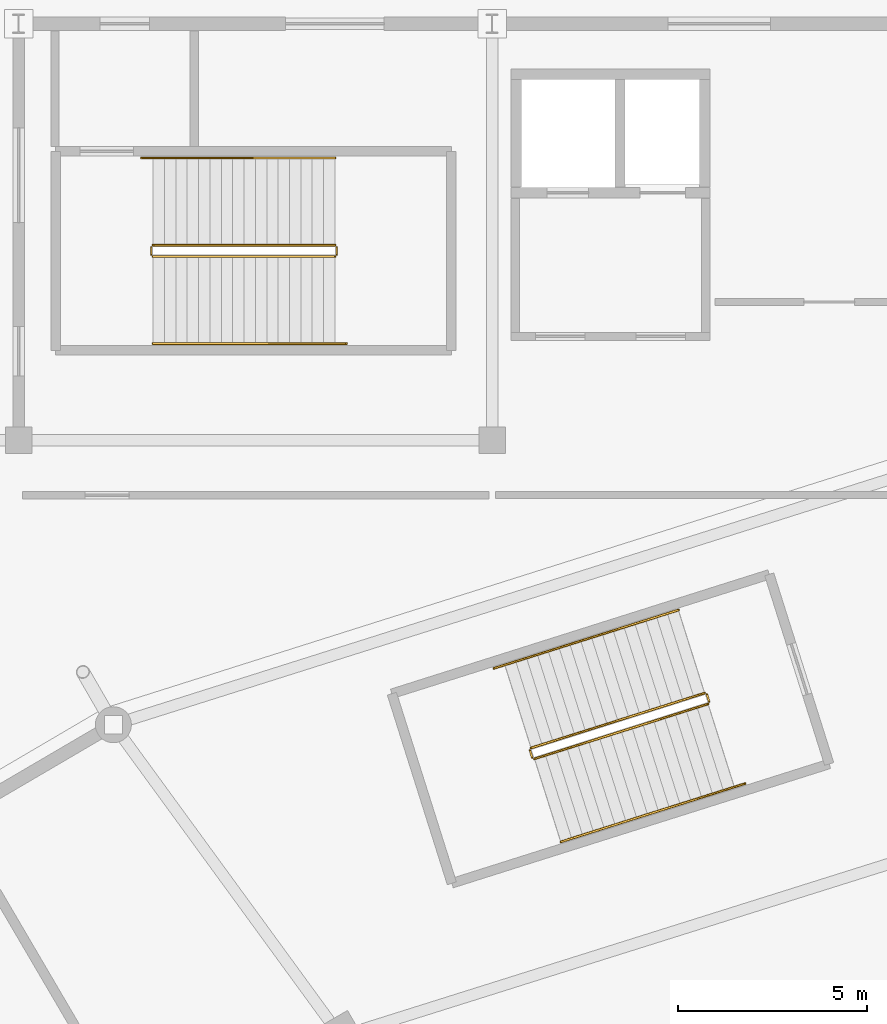
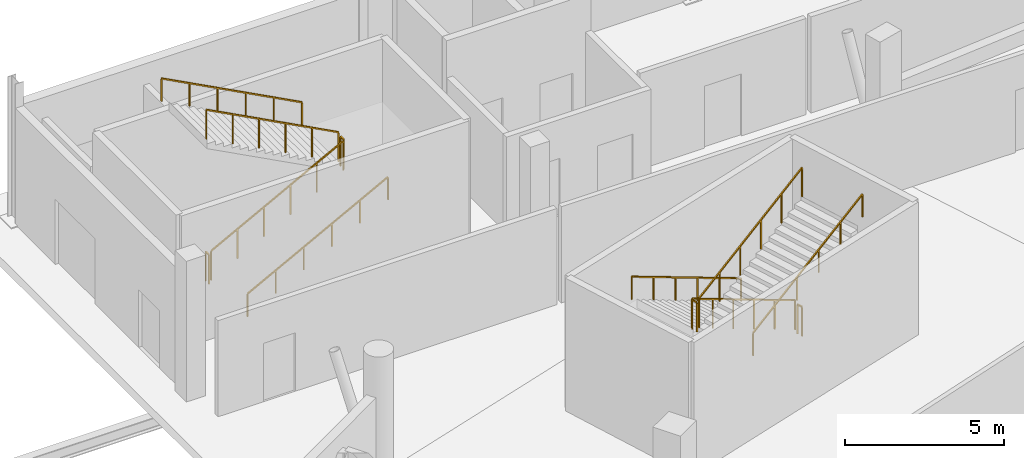
# One storey, part 79 of 82: 12 railings.
"""IFC4 building model written with IfcOpenShell, lengths in metres."""

from ifc_helpers import new_model, si_unit, direction, frame, origin, origin_2d, place, context, subcontext, project, spatial, rectangle, extrude, material, type_object, element, save


model = new_model("IFC4")

# Units and contexts
model_context = context("Model", 3, precision=1e-05, world=origin(), true_north=direction((0.0, 1.0)))
body_context = subcontext(model_context, "Body", "Model", "MODEL_VIEW")
ifc_project = project(units=[si_unit("LENGTHUNIT", "METRE"), si_unit("AREAUNIT", "SQUARE_METRE"), si_unit("VOLUMEUNIT", "CUBIC_METRE"), si_unit("PLANEANGLEUNIT", "RADIAN"), si_unit("MASSUNIT", "GRAM", prefix="KILO")], contexts=[model_context])

# Site, building, storey
site_placement = place(None, origin())
site = spatial("IfcSite", under=ifc_project, at=site_placement, CompositionType="ELEMENT")
building_placement = place(site_placement, origin())
building = spatial("IfcBuilding", under=site, at=building_placement, Name="Zlatoyarsky Gate Stadium", CompositionType="ELEMENT")
storey_placement = place(building_placement, origin())
storey = spatial("IfcBuildingStorey", under=building, at=storey_placement, Name="L00", CompositionType="ELEMENT", Elevation=0.0)

# Railings
ifc_material_1 = material(Name="Powder-coated steel stair guardrail", Category="steel")
railing_type_1 = type_object("IfcRailingType", Name="PAINTED STEEL STAIR WELL GUARDRAIL 1150", PredefinedType="GUARDRAIL", material=ifc_material_1)
railing_1_placement = place(storey_placement, frame((80.108642578125, 142.321533203125, 0.158935546875)))
element("IfcRailing", 1, at=railing_1_placement, inside=storey, type_object=railing_type_1, Name="ST-14 L00 stair guard 1", PredefinedType="GUARDRAIL", context=body_context, shape_type="SweptSolid", body=[
    extrude(rectangle(XDim=0.048095703125, YDim=0.048095703125, at=origin_2d()), frame((0.0, 0.0, 1.1259765625), z_axis=(-0.842672050096, -0.266476043581, 0.467861447637), x_axis=(0.301511080938, -0.953462672616, 0.0)), (0.0, 0.0, 1.0), 5.43115234375),
    extrude(rectangle(XDim=0.0419921875, YDim=0.0419921875, at=origin_2d()), origin(), (0.0, 0.0, 1.0), 1.101806640625),
    extrude(rectangle(XDim=0.0419921875, YDim=0.0419921875, at=origin_2d()), frame((-0.915283203125, -0.28955078125, 0.50830078125)), (0.0, 0.0, 1.0), 1.101806640625),
    extrude(rectangle(XDim=0.0419921875, YDim=0.0419921875, at=origin_2d()), frame((-1.83056640625, -0.578857421875, 1.016357421875)), (0.0, 0.0, 1.0), 1.101806640625),
    extrude(rectangle(XDim=0.0419921875, YDim=0.0419921875, at=origin_2d()), frame((-2.74609375, -0.868408203125, 1.524658203125)), (0.0, 0.0, 1.0), 1.101806640625),
    extrude(rectangle(XDim=0.0419921875, YDim=0.0419921875, at=origin_2d()), frame((-3.661376953125, -1.15771484375, 2.03271484375)), (0.0, 0.0, 1.0), 1.101806640625),
    extrude(rectangle(XDim=0.0419921875, YDim=0.0419921875, at=origin_2d()), frame((-4.57666015625, -1.447265625, 2.541015625)), (0.0, 0.0, 1.0), 1.101806640625),
])
railing_2_placement = place(storey_placement, frame((75.499267578125, 140.8115234375, 2.699951171875)))
element("IfcRailing", 2, at=railing_2_placement, inside=storey, type_object=railing_type_1, Name="ST-14 L00 stair guard 2", PredefinedType="GUARDRAIL", context=body_context, shape_type="SweptSolid", body=[
    extrude(rectangle(XDim=0.048095703125, YDim=0.048095703125, at=origin_2d()), frame((0.0, 0.0, 1.1259765625), z_axis=(0.301540327315, -0.953453423615, 0.0), x_axis=(0.953453423615, 0.301540327315, 0.0)), (0.0, 0.0, 1.0), 0.199951171875),
    extrude(rectangle(XDim=0.0419921875, YDim=0.0419921875, at=origin_2d()), origin(), (0.0, 0.0, 1.0), 1.101806640625),
    extrude(rectangle(XDim=0.0419921875, YDim=0.0419921875, at=origin_2d()), frame((0.060302734375, -0.190673828125, 0.0)), (0.0, 0.0, 1.0), 1.101806640625),
])
railing_3_placement = place(storey_placement, frame((75.622314453125, 140.58837890625, 2.85888671875)))
element("IfcRailing", 3, at=railing_3_placement, inside=storey, type_object=railing_type_1, Name="ST-14 L00 stair guard 3", PredefinedType="GUARDRAIL", context=body_context, shape_type="SweptSolid", body=[
    extrude(rectangle(XDim=0.048095703125, YDim=0.048095703125, at=origin_2d()), frame((0.0, 0.0, 1.1259765625), z_axis=(0.842672050096, 0.266476043581, 0.467861447637), x_axis=(-0.301511080938, 0.953462672616, 0.0)), (0.0, 0.0, 1.0), 5.43115234375),
    extrude(rectangle(XDim=0.0419921875, YDim=0.0419921875, at=origin_2d()), origin(), (0.0, 0.0, 1.0), 1.101806640625),
    extrude(rectangle(XDim=0.0419921875, YDim=0.0419921875, at=origin_2d()), frame((0.915283203125, 0.28955078125, 0.50830078125)), (0.0, 0.0, 1.0), 1.101806640625),
    extrude(rectangle(XDim=0.0419921875, YDim=0.0419921875, at=origin_2d()), frame((1.83056640625, 0.578857421875, 1.016357421875)), (0.0, 0.0, 1.0), 1.101806640625),
    extrude(rectangle(XDim=0.0419921875, YDim=0.0419921875, at=origin_2d()), frame((2.74609375, 0.868408203125, 1.524658203125)), (0.0, 0.0, 1.0), 1.101806640625),
    extrude(rectangle(XDim=0.0419921875, YDim=0.0419921875, at=origin_2d()), frame((3.661376953125, 1.15771484375, 2.03271484375)), (0.0, 0.0, 1.0), 1.101806640625),
    extrude(rectangle(XDim=0.0419921875, YDim=0.0419921875, at=origin_2d()), frame((4.57666015625, 1.447265625, 2.541015625)), (0.0, 0.0, 1.0), 1.101806640625),
])
railing_4_placement = place(storey_placement, frame((80.17138671875, 142.2890625, 0.0)))
element("IfcRailing", 4, at=railing_4_placement, inside=storey, type_object=railing_type_1, Name="ST-14 L00 stair guard 4", PredefinedType="GUARDRAIL", context=body_context, shape_type="SweptSolid", body=[
    extrude(rectangle(XDim=0.048095703125, YDim=0.048095703125, at=origin_2d()), frame((0.0, 0.0, 1.1259765625), z_axis=(0.301540327315, -0.953453423615, 0.0), x_axis=(0.953453423615, 0.301540327315, 0.0)), (0.0, 0.0, 1.0), 0.199951171875),
    extrude(rectangle(XDim=0.0419921875, YDim=0.0419921875, at=origin_2d()), origin(), (0.0, 0.0, 1.0), 1.101806640625),
    extrude(rectangle(XDim=0.0419921875, YDim=0.0419921875, at=origin_2d()), frame((0.060302734375, -0.190673828125, 0.0)), (0.0, 0.0, 1.0), 1.101806640625),
])
railing_5_placement = place(storey_placement, frame((65.550048828125, 153.85009765625, 0.158935546875)))
element("IfcRailing", 5, at=railing_5_placement, inside=storey, type_object=railing_type_1, Name="ST-31 L00 stair guard 1", PredefinedType="GUARDRAIL", context=body_context, shape_type="SweptSolid", body=[
    extrude(rectangle(XDim=0.048095703125, YDim=0.048095703125, at=origin_2d()), frame((0.0, 0.0, 1.1259765625), z_axis=(0.883802130504, 0.0, 0.467860870469), x_axis=(0.0, 1.0, 0.0)), (0.0, 0.0, 1.0), 5.43115234375),
    extrude(rectangle(XDim=0.0419921875, YDim=0.0419921875, at=origin_2d()), origin(), (0.0, 0.0, 1.0), 1.101806640625),
    extrude(rectangle(XDim=0.0419921875, YDim=0.0419921875, at=origin_2d()), frame((0.9599609375, 0.0, 0.50830078125)), (0.0, 0.0, 1.0), 1.101806640625),
    extrude(rectangle(XDim=0.0419921875, YDim=0.0419921875, at=origin_2d()), frame((1.919921875, 0.0, 1.016357421875)), (0.0, 0.0, 1.0), 1.101806640625),
    extrude(rectangle(XDim=0.0419921875, YDim=0.0419921875, at=origin_2d()), frame((2.880126953125, 0.0, 1.524658203125)), (0.0, 0.0, 1.0), 1.101806640625),
    extrude(rectangle(XDim=0.0419921875, YDim=0.0419921875, at=origin_2d()), frame((3.840087890625, 0.0, 2.03271484375)), (0.0, 0.0, 1.0), 1.101806640625),
    extrude(rectangle(XDim=0.0419921875, YDim=0.0419921875, at=origin_2d()), frame((4.800048828125, 0.0, 2.541015625)), (0.0, 0.0, 1.0), 1.101806640625),
])
railing_6_placement = place(storey_placement, frame((70.39990234375, 153.89990234375, 2.699951171875)))
element("IfcRailing", 6, at=railing_6_placement, inside=storey, type_object=railing_type_1, Name="ST-31 L00 stair guard 2", PredefinedType="GUARDRAIL", context=body_context, shape_type="SweptSolid", body=[
    extrude(rectangle(XDim=0.048095703125, YDim=0.048095703125, at=origin_2d()), frame((0.0, 0.0, 1.1259765625), z_axis=(0.0, 1.0, 0.0), x_axis=(-1.0, 0.0, 0.0)), (0.0, 0.0, 1.0), 0.2001953125),
    extrude(rectangle(XDim=0.0419921875, YDim=0.0419921875, at=origin_2d()), origin(), (0.0, 0.0, 1.0), 1.101806640625),
    extrude(rectangle(XDim=0.0419921875, YDim=0.0419921875, at=origin_2d()), frame((0.0, 0.2001953125, 0.0)), (0.0, 0.0, 1.0), 1.101806640625),
])
railing_7_placement = place(storey_placement, frame((70.35009765625, 154.14990234375, 2.85888671875)))
element("IfcRailing", 7, at=railing_7_placement, inside=storey, type_object=railing_type_1, Name="ST-31 L00 stair guard 3", PredefinedType="GUARDRAIL", context=body_context, shape_type="SweptSolid", body=[
    extrude(rectangle(XDim=0.048095703125, YDim=0.048095703125, at=origin_2d()), frame((0.0, 0.0, 1.1259765625), z_axis=(-0.883802130504, 0.0, 0.467860870469), x_axis=(0.0, -1.0, 0.0)), (0.0, 0.0, 1.0), 5.43115234375),
    extrude(rectangle(XDim=0.0419921875, YDim=0.0419921875, at=origin_2d()), origin(), (0.0, 0.0, 1.0), 1.101806640625),
    extrude(rectangle(XDim=0.0419921875, YDim=0.0419921875, at=origin_2d()), frame((-0.9599609375, 0.0, 0.50830078125)), (0.0, 0.0, 1.0), 1.101806640625),
    extrude(rectangle(XDim=0.0419921875, YDim=0.0419921875, at=origin_2d()), frame((-1.919921875, 0.0, 1.016357421875)), (0.0, 0.0, 1.0), 1.101806640625),
    extrude(rectangle(XDim=0.0419921875, YDim=0.0419921875, at=origin_2d()), frame((-2.880126953125, 0.0, 1.524658203125)), (0.0, 0.0, 1.0), 1.101806640625),
    extrude(rectangle(XDim=0.0419921875, YDim=0.0419921875, at=origin_2d()), frame((-3.840087890625, 0.0, 2.03271484375)), (0.0, 0.0, 1.0), 1.101806640625),
    extrude(rectangle(XDim=0.0419921875, YDim=0.0419921875, at=origin_2d()), frame((-4.800048828125, 0.0, 2.541015625)), (0.0, 0.0, 1.0), 1.101806640625),
])
railing_8_placement = place(storey_placement, frame((65.5, 153.89990234375, 0.0)))
element("IfcRailing", 8, at=railing_8_placement, inside=storey, type_object=railing_type_1, Name="ST-31 L00 stair guard 4", PredefinedType="GUARDRAIL", context=body_context, shape_type="SweptSolid", body=[
    extrude(rectangle(XDim=0.048095703125, YDim=0.048095703125, at=origin_2d()), frame((0.0, 0.0, 1.1259765625), z_axis=(0.0, 1.0, 0.0), x_axis=(-1.0, 0.0, 0.0)), (0.0, 0.0, 1.0), 0.2001953125),
    extrude(rectangle(XDim=0.0419921875, YDim=0.0419921875, at=origin_2d()), origin(), (0.0, 0.0, 1.0), 1.101806640625),
    extrude(rectangle(XDim=0.0419921875, YDim=0.0419921875, at=origin_2d()), frame((0.0, 0.2001953125, 0.0)), (0.0, 0.0, 1.0), 1.101806640625),
])
ifc_material_2 = material(Name="Brushed stainless steel 316 handrail", Category="steel")
railing_type_2 = type_object("IfcRailingType", Name="STAINLESS STEEL TUBULAR HANDRAIL 900", PredefinedType="HANDRAIL", material=ifc_material_2)
railing_9_placement = place(storey_placement, frame((79.4150390625, 144.5146484375, 0.162841796875)))
element("IfcRailing", 9, at=railing_9_placement, inside=storey, type_object=railing_type_2, Name="ST-14 L00 stair handrail 1", PredefinedType="HANDRAIL", context=body_context, shape_type="SweptSolid", body=[
    extrude(rectangle(XDim=0.048095703125, YDim=0.048095703125, at=origin_2d()), frame((0.0, 0.0, 0.8759765625), z_axis=(-0.842651293376, -0.266498995681, 0.46788575857), x_axis=(0.301541441746, -0.953453071163, 0.0)), (0.0, 0.0, 1.0), 5.7705078125),
    extrude(rectangle(XDim=0.0419921875, YDim=0.0419921875, at=origin_2d()), origin(), (0.0, 0.0, 1.0), 0.851806640625),
    extrude(rectangle(XDim=0.0419921875, YDim=0.0419921875, at=origin_2d()), frame((-0.972412109375, -0.3076171875, 0.5400390625)), (0.0, 0.0, 1.0), 0.851806640625),
    extrude(rectangle(XDim=0.0419921875, YDim=0.0419921875, at=origin_2d()), frame((-1.945068359375, -0.615234375, 1.080078125)), (0.0, 0.0, 1.0), 0.851806640625),
    extrude(rectangle(XDim=0.0419921875, YDim=0.0419921875, at=origin_2d()), frame((-2.91748046875, -0.922607421875, 1.619873046875)), (0.0, 0.0, 1.0), 0.851806640625),
    extrude(rectangle(XDim=0.0419921875, YDim=0.0419921875, at=origin_2d()), frame((-3.89013671875, -1.230224609375, 2.159912109375)), (0.0, 0.0, 1.0), 0.851806640625),
    extrude(rectangle(XDim=0.0419921875, YDim=0.0419921875, at=origin_2d()), frame((-4.862548828125, -1.537841796875, 2.699951171875)), (0.0, 0.0, 1.0), 0.851806640625),
])
railing_10_placement = place(storey_placement, frame((76.31591796875, 138.395263671875, 2.86279296875)))
element("IfcRailing", 10, at=railing_10_placement, inside=storey, type_object=railing_type_2, Name="ST-14 L00 stair handrail 2", PredefinedType="HANDRAIL", context=body_context, shape_type="SweptSolid", body=[
    extrude(rectangle(XDim=0.048095703125, YDim=0.048095703125, at=origin_2d()), frame((0.0, 0.0, 0.8759765625), z_axis=(0.842651293376, 0.266498995681, 0.46788575857), x_axis=(-0.301541441746, 0.953453071163, 0.0)), (0.0, 0.0, 1.0), 5.7705078125),
    extrude(rectangle(XDim=0.0419921875, YDim=0.0419921875, at=origin_2d()), origin(), (0.0, 0.0, 1.0), 0.851806640625),
    extrude(rectangle(XDim=0.0419921875, YDim=0.0419921875, at=origin_2d()), frame((0.972412109375, 0.3076171875, 0.5400390625)), (0.0, 0.0, 1.0), 0.851806640625),
    extrude(rectangle(XDim=0.0419921875, YDim=0.0419921875, at=origin_2d()), frame((1.945068359375, 0.615234375, 1.080078125)), (0.0, 0.0, 1.0), 0.851806640625),
    extrude(rectangle(XDim=0.0419921875, YDim=0.0419921875, at=origin_2d()), frame((2.91748046875, 0.922607421875, 1.619873046875)), (0.0, 0.0, 1.0), 0.851806640625),
    extrude(rectangle(XDim=0.0419921875, YDim=0.0419921875, at=origin_2d()), frame((3.89013671875, 1.230224609375, 2.159912109375)), (0.0, 0.0, 1.0), 0.851806640625),
    extrude(rectangle(XDim=0.0419921875, YDim=0.0419921875, at=origin_2d()), frame((4.862548828125, 1.537841796875, 2.699951171875)), (0.0, 0.0, 1.0), 0.851806640625),
])
railing_11_placement = place(storey_placement, frame((65.550048828125, 151.550048828125, 0.162841796875)))
element("IfcRailing", 11, at=railing_11_placement, inside=storey, type_object=railing_type_2, Name="ST-31 L00 stair handrail 1", PredefinedType="HANDRAIL", context=body_context, shape_type="SweptSolid", body=[
    extrude(rectangle(XDim=0.048095703125, YDim=0.048095703125, at=origin_2d()), frame((0.0, 0.0, 0.8759765625), z_axis=(0.883785858079, 0.0, 0.467891608238), x_axis=(0.0, 1.0, 0.0)), (0.0, 0.0, 1.0), 5.7705078125),
    extrude(rectangle(XDim=0.0419921875, YDim=0.0419921875, at=origin_2d()), origin(), (0.0, 0.0, 1.0), 0.851806640625),
    extrude(rectangle(XDim=0.0419921875, YDim=0.0419921875, at=origin_2d()), frame((1.02001953125, 0.0, 0.5400390625)), (0.0, 0.0, 1.0), 0.851806640625),
    extrude(rectangle(XDim=0.0419921875, YDim=0.0419921875, at=origin_2d()), frame((2.0400390625, 0.0, 1.080078125)), (0.0, 0.0, 1.0), 0.851806640625),
    extrude(rectangle(XDim=0.0419921875, YDim=0.0419921875, at=origin_2d()), frame((3.059814453125, 0.0, 1.619873046875)), (0.0, 0.0, 1.0), 0.851806640625),
    extrude(rectangle(XDim=0.0419921875, YDim=0.0419921875, at=origin_2d()), frame((4.079833984375, 0.0, 2.159912109375)), (0.0, 0.0, 1.0), 0.851806640625),
    extrude(rectangle(XDim=0.0419921875, YDim=0.0419921875, at=origin_2d()), frame((5.099853515625, 0.0, 2.699951171875)), (0.0, 0.0, 1.0), 0.851806640625),
])
railing_12_placement = place(storey_placement, frame((70.35009765625, 156.449951171875, 2.86279296875)))
element("IfcRailing", 12, at=railing_12_placement, inside=storey, type_object=railing_type_2, Name="ST-31 L00 stair handrail 2", PredefinedType="HANDRAIL", context=body_context, shape_type="SweptSolid", body=[
    extrude(rectangle(XDim=0.048095703125, YDim=0.048095703125, at=origin_2d()), frame((0.0, 0.0, 0.8759765625), z_axis=(-0.883795119882, 0.0, 0.467874113489), x_axis=(0.0, -1.0, 0.0)), (0.0, 0.0, 1.0), 5.770751953125),
    extrude(rectangle(XDim=0.0419921875, YDim=0.0419921875, at=origin_2d()), origin(), (0.0, 0.0, 1.0), 0.851806640625),
    extrude(rectangle(XDim=0.0419921875, YDim=0.0419921875, at=origin_2d()), frame((-1.02001953125, 0.0, 0.5400390625)), (0.0, 0.0, 1.0), 0.851806640625),
    extrude(rectangle(XDim=0.0419921875, YDim=0.0419921875, at=origin_2d()), frame((-2.0400390625, 0.0, 1.080078125)), (0.0, 0.0, 1.0), 0.851806640625),
    extrude(rectangle(XDim=0.0419921875, YDim=0.0419921875, at=origin_2d()), frame((-3.06005859375, 0.0, 1.619873046875)), (0.0, 0.0, 1.0), 0.851806640625),
    extrude(rectangle(XDim=0.0419921875, YDim=0.0419921875, at=origin_2d()), frame((-4.080078125, 0.0, 2.159912109375)), (0.0, 0.0, 1.0), 0.851806640625),
    extrude(rectangle(XDim=0.0419921875, YDim=0.0419921875, at=origin_2d()), frame((-5.10009765625, 0.0, 2.699951171875)), (0.0, 0.0, 1.0), 0.851806640625),
])

save(model, "model.ifc")
